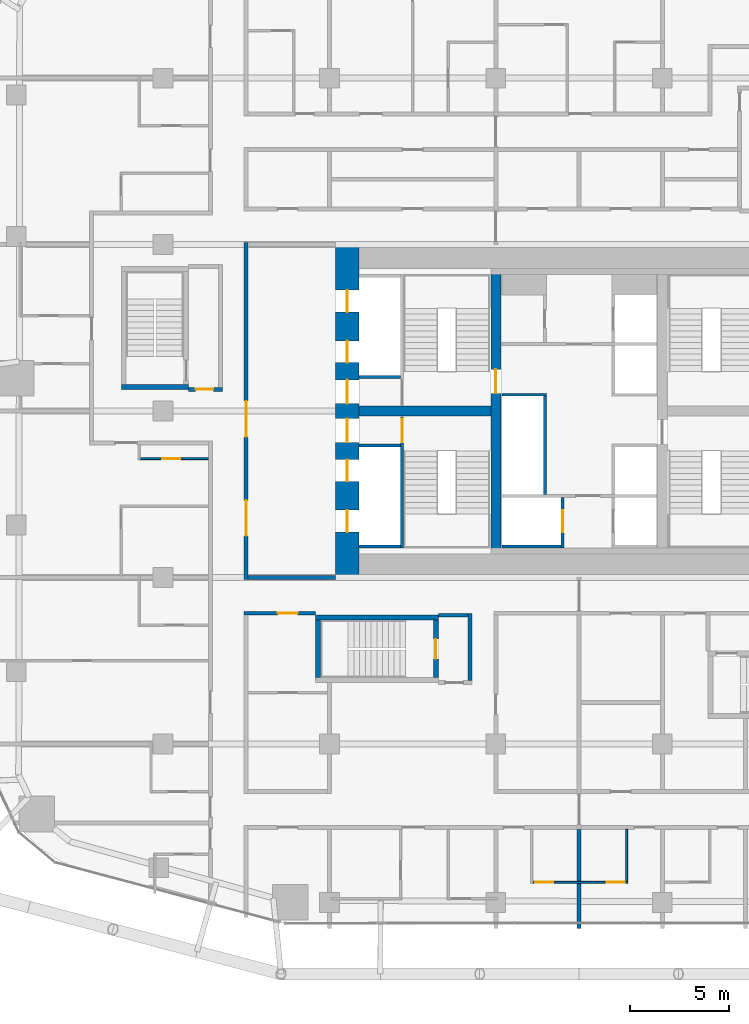
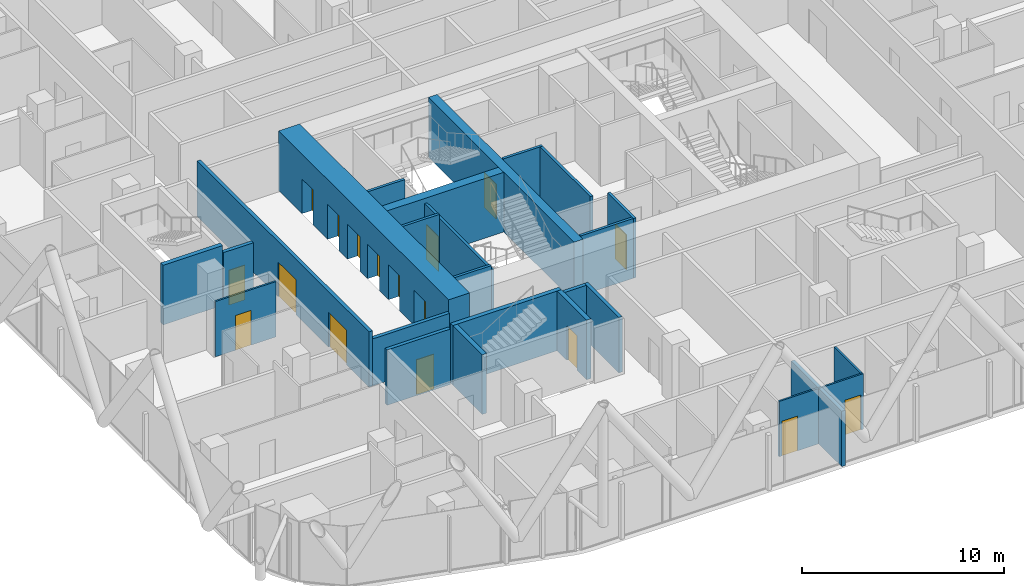
# One storey, part 29 of 38: 25 walls, 17 doors, 17 openings.
"""IFC4 building model written with IfcOpenShell, lengths in metres."""

import ifcopenshell
import ifcopenshell.guid

model = None  # the IFC model being written
_history = None  # IfcOwnerHistory: only IFC2X3 demands one
_inside = {}  # id of a spatial element -> (the spatial element, [elements in it])
_under = {}  # id of a project, library or spatial element -> (it, [spatial elements below it])
_declared = {}  # id of a project -> (the project, [libraries it declares])
_typed = {}  # id of a type object -> (the type object, [elements of that type])
_made_of = {}  # id of a material, layer set ... -> (it, [elements and type objects made of it])


def new_model(schema):
    """Start an empty IFC model of exactly this schema.

    Asked for "IFC4X3", IfcOpenShell would pick the latest addendum, in which some entities
    have other attributes; the version numbers below select the first issue.
    IFC2X3 requires an IfcOwnerHistory on every rooted entity: one is made here for all.
    """
    global model, _history
    if schema == "IFC4X3":
        model = ifcopenshell.file(schema_version=(4, 3, 0, 0))
    else:
        model = ifcopenshell.file(schema=schema)
    _inside.clear()
    _under.clear()
    _declared.clear()
    _typed.clear()
    _made_of.clear()
    _history = None
    if model.schema == "IFC2X3":
        org = make("IfcOrganization", Name="unknown")
        user = make(
            "IfcPersonAndOrganization",
            ThePerson=make("IfcPerson", FamilyName="unknown"),
            TheOrganization=org,
        )
        app = make(
            "IfcApplication",
            ApplicationDeveloper=org,
            Version="unknown",
            ApplicationFullName="unknown",
            ApplicationIdentifier="unknown",
        )
        _history = make(
            "IfcOwnerHistory",
            OwningUser=user,
            OwningApplication=app,
            ChangeAction="ADDED",
            CreationDate=0,
        )
    return model


def make(cls, **values):
    """One entity of the class cls with the attributes given. An attribute that is None is left unset."""
    return model.create_entity(
        cls, **{name: value for name, value in values.items() if value is not None}
    )


def rooted(cls, **values):
    """An entity with a GlobalId (a new one), such as an element, a storey or a relation."""
    return make(cls, GlobalId=ifcopenshell.guid.new(), OwnerHistory=_history, **values)


def si_unit(unit_type, name, prefix=None):
    """IfcSIUnit, for example si_unit("LENGTHUNIT", "METRE", prefix="MILLI")."""
    return make("IfcSIUnit", UnitType=unit_type, Prefix=prefix, Name=name)


def assignment(units):
    """IfcUnitAssignment: the units of a project."""
    return None if units is None else make("IfcUnitAssignment", Units=units)


def point(xyz):
    """IfcCartesianPoint."""
    return None if xyz is None else make("IfcCartesianPoint", Coordinates=xyz)


def direction(xyz):
    """IfcDirection."""
    return None if xyz is None else make("IfcDirection", DirectionRatios=xyz)


def frame(location, z_axis=None, x_axis=None):
    """IfcAxis2Placement3D, a coordinate frame: its origin and axes. An axis left out is left unset."""
    return make(
        "IfcAxis2Placement3D",
        Location=point(location),
        Axis=direction(z_axis),
        RefDirection=direction(x_axis),
    )


def frame_2d(location, x_axis=None):
    """IfcAxis2Placement2D, a coordinate frame in the plane: its origin and x axis."""
    return make(
        "IfcAxis2Placement2D", Location=point(location), RefDirection=direction(x_axis)
    )


def origin():
    """The frame at (0, 0, 0) with its axes left unset."""
    return frame((0.0, 0.0, 0.0))


def place(relative_to, where):
    """IfcLocalPlacement: puts the frame where relative to a parent placement (None: the world)."""
    return make(
        "IfcLocalPlacement", PlacementRelTo=relative_to, RelativePlacement=where
    )


def context(
    kind, dimensions, precision=None, world=None, true_north=None, identifier=None
):
    """IfcGeometricRepresentationContext, for example the 3D "Model" context."""
    return make(
        "IfcGeometricRepresentationContext",
        ContextIdentifier=identifier,
        ContextType=kind,
        CoordinateSpaceDimension=dimensions,
        Precision=precision,
        WorldCoordinateSystem=world,
        TrueNorth=true_north,
    )


def subcontext(parent, identifier, kind, view, scale=None):
    """IfcGeometricRepresentationSubContext, for example "Body" below "Model"."""
    return make(
        "IfcGeometricRepresentationSubContext",
        ContextIdentifier=identifier,
        ContextType=kind,
        ParentContext=parent,
        TargetScale=scale,
        TargetView=view,
    )


def project(units=None, contexts=None):
    """IfcProject with its units and contexts."""
    return rooted(
        "IfcProject",
        Name="project",
        RepresentationContexts=contexts,
        UnitsInContext=assignment(units),
    )


def spatial(cls, under=None, at=None, **own):
    """A site, building, storey or space (cls), placed at a placement, below another one or the project."""
    s = rooted(cls, ObjectPlacement=at, **own)
    if under is not None:
        _under.setdefault(under.id(), (under, []))[1].append(s)
    return s


def profile(cls, at=None, kind="AREA", **sizes):
    """A parametric profile (cls). Its sizes go by their IFC names, for example OverallWidth=200.0."""
    return make(cls, ProfileType=kind, Position=at, **sizes)


def rectangle(**sizes):
    """IfcRectangleProfileDef."""
    return profile("IfcRectangleProfileDef", **sizes)


def extrude(swept, where, along, depth):
    """IfcExtrudedAreaSolid: the profile swept, set in the frame where, extruded along a direction by depth."""
    return make(
        "IfcExtrudedAreaSolid",
        SweptArea=swept,
        Position=where,
        ExtrudedDirection=direction(along),
        Depth=depth,
    )


def shape(context_of_items, identifier, shape_type, items):
    """IfcShapeRepresentation: the items that make up one representation, for example the "Body"."""
    return make(
        "IfcShapeRepresentation",
        ContextOfItems=context_of_items,
        RepresentationIdentifier=identifier,
        RepresentationType=shape_type,
        Items=items,
    )


def material(Name=None, Category=None):
    """IfcMaterial."""
    return make("IfcMaterial", Name=Name, Category=Category)


def layer(
    of_material, thickness, ventilated=None, Name=None, Category=None, Priority=None
):
    """IfcMaterialLayer: one layer of a wall or slab, of a material (None: an air gap)."""
    return make(
        "IfcMaterialLayer",
        Material=of_material,
        LayerThickness=thickness,
        IsVentilated=ventilated,
        Name=Name,
        Category=Category,
        Priority=Priority,
    )


def layer_set(layers, Name=None):
    """IfcMaterialLayerSet."""
    return make("IfcMaterialLayerSet", MaterialLayers=layers, LayerSetName=Name)


def made_of(thing, what):
    """Note that an element or type object is made of a material, layer set ...; save() writes the relation."""
    if what is not None:
        _made_of.setdefault(what.id(), (what, []))[1].append(thing)
    return thing


def type_object(cls, material=None, **own):
    """A type object (cls), such as IfcWallType, which elements share."""
    return made_of(rooted(cls, **own), material)


def element(
    cls,
    number,
    at=None,
    inside=None,
    cuts=None,
    type_object=None,
    material=None,
    context=None,
    identifier="Body",
    shape_type=None,
    held_by="IfcProductDefinitionShape",
    body=None,
    shapes=None,
    **own,
):
    """One element of the class cls, such as IfcWall. Its Tag is "e" and its number.

    at: its placement. inside: the storey or other place that contains it. cuts: it is an
    opening in that element (IfcRelVoidsElement). A single representation is given by context,
    identifier, shape_type and body (its items); several are given by shapes. held_by: the class
    of the entity that holds the representations. save() writes the other relations.
    """
    e = rooted(cls, Tag="e%d" % number, ObjectPlacement=at, **own)
    if body is not None:
        shapes = [shape(context, identifier, shape_type, body)]
    if shapes is not None:
        e.Representation = make(held_by, Representations=shapes)
    if inside is not None:
        _inside.setdefault(inside.id(), (inside, []))[1].append(e)
    if cuts is not None:
        rooted(
            "IfcRelVoidsElement", RelatingBuildingElement=cuts, RelatedOpeningElement=e
        )
    if type_object is not None:
        _typed.setdefault(type_object.id(), (type_object, []))[1].append(e)
    return made_of(e, material)


def fill(opening, filler):
    """IfcRelFillsElement: the door or window that sits in an opening."""
    return rooted(
        "IfcRelFillsElement",
        RelatingOpeningElement=opening,
        RelatedBuildingElement=filler,
    )


def aggregate(whole, parts):
    """IfcRelAggregates: a whole, such as a stair, and the parts it consists of."""
    return rooted("IfcRelAggregates", RelatingObject=whole, RelatedObjects=parts)


def save(model, path):
    """Write the relations noted so far, then the file.

    IfcRelAggregates (storeys below a building ...), IfcRelContainedInSpatialStructure (elements
    in a storey), IfcRelDefinesByType, IfcRelAssociatesMaterial and IfcRelDeclares: one each for
    every whole, place, type object, material and project.
    """
    for whole, parts in _under.values():
        aggregate(whole, parts)
    for where, things in _inside.values():
        rooted(
            "IfcRelContainedInSpatialStructure",
            RelatedElements=things,
            RelatingStructure=where,
        )
    for kind, things in _typed.values():
        rooted("IfcRelDefinesByType", RelatedObjects=things, RelatingType=kind)
    for what, things in _made_of.values():
        rooted("IfcRelAssociatesMaterial", RelatedObjects=things, RelatingMaterial=what)
    for by, libraries in _declared.values():
        rooted("IfcRelDeclares", RelatingContext=by, RelatedDefinitions=libraries)
    model.write(path)


model = new_model("IFC4")

# Units and contexts
model_context = context("Model", 3, precision=1e-05, world=origin(), true_north=direction((0.0, 1.0)))
body_context = subcontext(model_context, "Body", "Model", "MODEL_VIEW")
ifc_project = project(units=[si_unit("LENGTHUNIT", "METRE"), si_unit("AREAUNIT", "SQUARE_METRE"), si_unit("VOLUMEUNIT", "CUBIC_METRE"), si_unit("PLANEANGLEUNIT", "RADIAN"), si_unit("MASSUNIT", "GRAM", prefix="KILO")], contexts=[model_context])

# Site, building, storey
site_placement = place(None, origin())
site = spatial("IfcSite", under=ifc_project, at=site_placement, CompositionType="ELEMENT")
building_placement = place(site_placement, origin())
building = spatial("IfcBuilding", under=site, at=building_placement, Name="Marenta Gate Hotel Tower", CompositionType="ELEMENT")
storey_placement = place(building_placement, frame((0.0, 0.0, 68.89990234375)))
storey = spatial("IfcBuildingStorey", under=building, at=storey_placement, Name="L15", CompositionType="ELEMENT", Elevation=68.89990234375)

# Wall
ifc_material_1 = material(Name="Concrete blockwork", Category="masonry")
ifc_layer_1 = layer(ifc_material_1, 0.199951171875)
ifc_layer_set_1 = layer_set([ifc_layer_1], Name="Concrete blockwork")
wall_type_1 = type_object("IfcWallType", Name="Compartment wall 200 REI 180", PredefinedType="PARTITIONING", material=ifc_layer_set_1)
wall_1_placement = place(storey_placement, frame((0.0, -17.699951171875, 0.0), z_axis=(0.0, 0.0, 1.0), x_axis=(0.0, 1.0, 0.0)))
element("IfcWall", 1, at=wall_1_placement, inside=storey, type_object=wall_type_1, Name="L15-PTN-W071", PredefinedType="PARTITIONING", context=body_context, shape_type="SweptSolid", body=[
    extrude(rectangle(XDim=5.0, YDim=0.199951171875, at=frame_2d((2.5, 0.0))), origin(), (0.0, 0.0, 1.0), 3.340087890625),
])

# Wall, openings, doors
ifc_material_2 = material(Name="Concrete blockwork", Category="masonry")
ifc_layer_2 = layer(ifc_material_2, 0.199951171875)
ifc_layer_set_2 = layer_set([ifc_layer_2], Name="Concrete blockwork")
wall_type_2 = type_object("IfcWallType", Name="Core boundary wall 200 REI 180", PredefinedType="PARTITIONING", material=ifc_layer_set_2)
wall_2_placement = place(storey_placement, frame((-16.800048828125, -0.10009765625, 0.0), z_axis=(0.0, 0.0, 1.0), x_axis=(0.0, 1.0, 0.0)))
wall_2 = element("IfcWall", 2, at=wall_2_placement, inside=storey, type_object=wall_type_2, Name="L15-CP-BW-W", PredefinedType="PARTITIONING", context=body_context, shape_type="SweptSolid", body=[
    extrude(rectangle(XDim=17.0, YDim=0.199951171875, at=frame_2d((8.5, 0.0))), origin(), (0.0, 0.0, 1.0), 3.340087890625),
])
opening_1_placement = place(wall_2_placement, frame((2.199951171875, 0.0, 0.0)))
opening_1 = element("IfcOpeningElement", 3, at=opening_1_placement, cuts=wall_2, Name="Opening ED-Wa-B", PredefinedType="OPENING", context=body_context, shape_type="SweptSolid", body=[
    extrude(rectangle(XDim=1.800048828125, YDim=2.10009765625, at=frame_2d((0.89990234375, 1.050048828125))), frame((0.0, 0.10009765625, 0.0), z_axis=(0.0, -1.0, 0.0), x_axis=(1.0, 0.0, 0.0)), (0.0, 0.0, 1.0), 0.199951171875),
])
opening_2_placement = place(wall_2_placement, frame((7.199951171875, 0.0, 0.0)))
opening_2 = element("IfcOpeningElement", 4, at=opening_2_placement, cuts=wall_2, Name="Opening ED-Wb-B", PredefinedType="OPENING", context=body_context, shape_type="SweptSolid", body=[
    extrude(rectangle(XDim=1.800048828125, YDim=2.10009765625, at=frame_2d((0.89990234375, 1.050048828125))), frame((0.0, 0.10009765625, 0.0), z_axis=(0.0, -1.0, 0.0), x_axis=(1.0, 0.0, 0.0)), (0.0, 0.0, 1.0), 0.199951171875),
])
ifc_material_3 = material(Name="Steel", Category="steel")
door_type_1 = type_object("IfcDoorType", Name="Core lobby entrance door 1800x2100 EI 60", OperationType="DOUBLE_DOOR_SINGLE_SWING", PredefinedType="DOOR", material=ifc_material_3)
door_1_placement = place(opening_1_placement, origin())
door_1 = element("IfcDoor", 5, at=door_1_placement, inside=storey, type_object=door_type_1, Name="ED-Wa-B", OperationType="DOUBLE_DOOR_SINGLE_SWING", OverallHeight=2.10009765625, OverallWidth=1.800048828125, PredefinedType="DOOR", context=body_context, shape_type="SweptSolid", body=[
    extrude(rectangle(XDim=1.800048828125, YDim=2.10009765625, at=frame_2d((0.89990234375, 1.050048828125))), frame((0.0, 0.02490234375, 0.0), z_axis=(0.0, -1.0, 0.0), x_axis=(1.0, 0.0, 0.0)), (0.0, 0.0, 1.0), 0.050048828125),
])
fill(opening_1, door_1)
door_2_placement = place(opening_2_placement, origin())
door_2 = element("IfcDoor", 6, at=door_2_placement, inside=storey, type_object=door_type_1, Name="ED-Wb-B", OperationType="DOUBLE_DOOR_SINGLE_SWING", OverallHeight=2.10009765625, OverallWidth=1.800048828125, PredefinedType="DOOR", context=body_context, shape_type="SweptSolid", body=[
    extrude(rectangle(XDim=1.800048828125, YDim=2.10009765625, at=frame_2d((0.89990234375, 1.050048828125))), frame((0.0, 0.02490234375, 0.0), z_axis=(0.0, -1.0, 0.0), x_axis=(1.0, 0.0, 0.0)), (0.0, 0.0, 1.0), 0.050048828125),
])
fill(opening_2, door_2)

# Walls
wall_3_placement = place(storey_placement, frame((-16.699951171875, 0.0, 0.0), z_axis=(0.0, 0.0, 1.0), x_axis=(1.0, 0.0, 0.0)))
element("IfcWall", 7, at=wall_3_placement, inside=storey, type_object=wall_type_2, Name="L15-CP-EW-WS", PredefinedType="PARTITIONING", context=body_context, shape_type="SweptSolid", body=[
    extrude(rectangle(XDim=4.39990234375, YDim=0.199951171875, at=frame_2d((2.199951171875, 0.0))), origin(), (0.0, 0.0, 1.0), 2.840087890625),
])
ifc_material_4 = material(Name="Concrete C40", Category="concrete")
ifc_layer_3 = layer(ifc_material_4, 0.14990234375)
ifc_layer_set_3 = layer_set([ifc_layer_3], Name="Concrete C40")
wall_type_3 = type_object("IfcWallType", Name="Core shaft wall 150 REI 180", PredefinedType="SHEAR", material=ifc_layer_set_3)
for number, where, z_axis, x_axis, name in (
    (8, (-11.10009765625, 6.675048828125, 0.0), (0.0, 0.0, 1.0), (1.0, 0.0, 0.0), "L15-SHF-SW-WS-2"),
    (9, (-11.10009765625, 1.574951171875, 0.0), (0.0, 0.0, 1.0), (1.0, 0.0, 0.0), "L15-SHF-SW-WS-5"),
    (10, (-11.10009765625, 10.125, 0.0), (0.0, 0.0, 1.0), (1.0, 0.0, 0.0), "L15-SHF-SW-WN-2"),
):
    element("IfcWall", number, at=place(storey_placement, frame(where, z_axis=z_axis, x_axis=x_axis)), inside=storey, type_object=wall_type_3, Name=name, PredefinedType="SHEAR", context=body_context, shape_type="SweptSolid", body=[
        extrude(rectangle(XDim=2.10009765625, YDim=0.14990234375, at=frame_2d((1.050048828125, 0.0))), origin(), (0.0, 0.0, 1.0), 3.60009765625),
    ])

# Wall, opening, door
wall_4_placement = place(storey_placement, frame((-0.824951171875, 1.5, 0.0), z_axis=(0.0, 0.0, 1.0), x_axis=(0.0, 1.0, 0.0)))
wall_4 = element("IfcWall", 11, at=wall_4_placement, inside=storey, type_object=wall_type_3, Name="L15-SHF-CW-W-ff", PredefinedType="SHEAR", context=body_context, shape_type="SweptSolid", body=[
    extrude(rectangle(XDim=2.550048828125, YDim=0.14990234375, at=frame_2d((1.27490234375, 0.0))), origin(), (0.0, 0.0, 1.0), 3.60009765625),
])
opening_3_placement = place(wall_4_placement, frame((0.800048828125, 0.0, 0.0)))
opening_3 = element("IfcOpeningElement", 12, at=opening_3_placement, cuts=wall_4, Name="Opening LD-FF1", PredefinedType="OPENING", context=body_context, shape_type="SweptSolid", body=[
    extrude(rectangle(XDim=1.10009765625, YDim=2.10009765625, at=frame_2d((0.550048828125, 1.050048828125))), frame((0.0, 0.074951171875, 0.0), z_axis=(0.0, -1.0, 0.0), x_axis=(1.0, 0.0, 0.0)), (0.0, 0.0, 1.0), 0.14990234375),
])
ifc_material_5 = material(Name="Steel", Category="steel")
door_type_2 = type_object("IfcDoorType", Name="Core lift landing door 1100x2100 E 60", OperationType="SLIDING_TO_LEFT", PredefinedType="DOOR", material=ifc_material_5)
door_3_placement = place(opening_3_placement, origin())
door_3 = element("IfcDoor", 13, at=door_3_placement, inside=storey, type_object=door_type_2, Name="LD-FF1", OperationType="SLIDING_TO_LEFT", OverallHeight=2.10009765625, OverallWidth=1.10009765625, PredefinedType="DOOR", context=body_context, shape_type="SweptSolid", body=[
    extrude(rectangle(XDim=1.10009765625, YDim=2.10009765625, at=frame_2d((0.550048828125, 1.050048828125))), frame((0.0, 0.02490234375, 0.0), z_axis=(0.0, -1.0, 0.0), x_axis=(1.0, 0.0, 0.0)), (0.0, 0.0, 1.0), 0.050048828125),
])
fill(opening_3, door_3)

# Walls
wall_5_placement = place(storey_placement, frame((-3.89990234375, 1.574951171875, 0.0), z_axis=(0.0, 0.0, 1.0), x_axis=(1.0, 0.0, 0.0)))
element("IfcWall", 14, at=wall_5_placement, inside=storey, type_object=wall_type_3, Name="L15-SHF-CW-W-ffs", PredefinedType="SHEAR", context=body_context, shape_type="SweptSolid", body=[
    extrude(rectangle(XDim=3.0, YDim=0.14990234375, at=frame_2d((1.5, 0.0))), origin(), (0.0, 0.0, 1.0), 3.60009765625),
])
wall_6_placement = place(storey_placement, frame((-1.72509765625, 4.199951171875, 0.0), z_axis=(0.0, 0.0, 1.0), x_axis=(0.0, 1.0, 0.0)))
element("IfcWall", 15, at=wall_6_placement, inside=storey, type_object=wall_type_3, Name="L15-SHF-CW-W-front", PredefinedType="SHEAR", context=body_context, shape_type="SweptSolid", body=[
    extrude(rectangle(XDim=4.949951171875, YDim=0.14990234375, at=frame_2d((2.47509765625, 0.0))), origin(), (0.0, 0.0, 1.0), 3.60009765625),
])
wall_7_placement = place(storey_placement, frame((-3.89990234375, 9.22509765625, 0.0), z_axis=(0.0, 0.0, 1.0), x_axis=(1.0, 0.0, 0.0)))
element("IfcWall", 16, at=wall_7_placement, inside=storey, type_object=wall_type_3, Name="L15-SHF-CW-W-sep", PredefinedType="SHEAR", context=body_context, shape_type="SweptSolid", body=[
    extrude(rectangle(XDim=2.25, YDim=0.14990234375, at=frame_2d((1.125, 0.0))), origin(), (0.0, 0.0, 1.0), 3.60009765625),
])

# Wall, opening, door
ifc_material_6 = material(Name="Concrete C40", Category="concrete")
ifc_layer_4 = layer(ifc_material_6, 0.14990234375)
ifc_layer_set_4 = layer_set([ifc_layer_4], Name="Concrete C40")
wall_type_4 = type_object("IfcWallType", Name="Core stair enclosure wall 150 REI 180", PredefinedType="SHEAR", material=ifc_layer_set_4)
wall_8_placement = place(storey_placement, frame((-8.925048828125, 1.5, 0.0), z_axis=(0.0, 0.0, 1.0), x_axis=(0.0, 1.0, 0.0)))
wall_8 = element("IfcWall", 17, at=wall_8_placement, inside=storey, type_object=wall_type_4, Name="L15-SHF-SW-WS-3", PredefinedType="SHEAR", context=body_context, shape_type="SweptSolid", body=[
    extrude(rectangle(XDim=6.60009765625, YDim=0.14990234375, at=frame_2d((3.300048828125, 0.0))), origin(), (0.0, 0.0, 1.0), 3.340087890625),
])
opening_4_placement = place(wall_8_placement, frame((5.324951171875, 0.0, 0.0)))
opening_4 = element("IfcOpeningElement", 18, at=opening_4_placement, cuts=wall_8, Name="Opening SD-WS", PredefinedType="OPENING", context=body_context, shape_type="SweptSolid", body=[
    extrude(rectangle(XDim=1.199951171875, YDim=2.10009765625, at=frame_2d((0.60009765625, 1.050048828125))), frame((0.0, 0.074951171875, 0.0), z_axis=(0.0, -1.0, 0.0), x_axis=(1.0, 0.0, 0.0)), (0.0, 0.0, 1.0), 0.14990234375),
])
ifc_material_7 = material(Name="Steel", Category="steel")
door_type_3 = type_object("IfcDoorType", Name="Core stair door 1200x2100 FD60", OperationType="SINGLE_SWING_LEFT", PredefinedType="DOOR", material=ifc_material_7)
door_4_placement = place(opening_4_placement, origin())
door_4 = element("IfcDoor", 19, at=door_4_placement, inside=storey, type_object=door_type_3, Name="SD-WS", OperationType="SINGLE_SWING_LEFT", OverallHeight=2.10009765625, OverallWidth=1.199951171875, PredefinedType="DOOR", context=body_context, shape_type="SweptSolid", body=[
    extrude(rectangle(XDim=1.199951171875, YDim=2.10009765625, at=frame_2d((0.60009765625, 1.050048828125))), frame((0.0, 0.02490234375, 0.0), z_axis=(0.0, -1.0, 0.0), x_axis=(1.0, 0.0, 0.0)), (0.0, 0.0, 1.0), 0.050048828125),
])
fill(opening_4, door_4)

# Wall, openings, doors
ifc_material_8 = material(Name="Concrete C80", Category="concrete")
ifc_layer_5 = layer(ifc_material_8, 1.199951171875)
ifc_layer_set_5 = layer_set([ifc_layer_5], Name="Concrete C80")
wall_type_5 = type_object("IfcWallType", Name="Core wall 1200 C80", PredefinedType="SHEAR", material=ifc_layer_set_5)
wall_9_placement = place(storey_placement, frame((-11.699951171875, 0.0, 0.0), z_axis=(0.0, 0.0, 1.0), x_axis=(0.0, 1.0, 0.0)))
wall_9 = element("IfcWall", 20, at=wall_9_placement, inside=storey, type_object=wall_type_5, Name="L15-CORE-W", PredefinedType="SHEAR", context=body_context, shape_type="SweptSolid", body=[
    extrude(rectangle(XDim=16.800048828125, YDim=1.199951171875, at=frame_2d((8.39990234375, 0.0))), origin(), (0.0, 0.0, 1.0), 3.60009765625),
])
opening_5_placement = place(wall_9_placement, frame((2.300048828125, 0.0, 0.0)))
opening_5 = element("IfcOpeningElement", 21, at=opening_5_placement, cuts=wall_9, Name="Opening LD-LR1", PredefinedType="OPENING", context=body_context, shape_type="SweptSolid", body=[
    extrude(rectangle(XDim=1.10009765625, YDim=2.10009765625, at=frame_2d((0.550048828125, 1.050048828125))), frame((0.0, 0.60009765625, 0.0), z_axis=(0.0, -1.0, 0.0), x_axis=(1.0, 0.0, 0.0)), (0.0, 0.0, 1.0), 1.199951171875),
])
opening_6_placement = place(wall_9_placement, frame((4.85009765625, 0.0, 0.0)))
opening_6 = element("IfcOpeningElement", 22, at=opening_6_placement, cuts=wall_9, Name="Opening LD-LR2", PredefinedType="OPENING", context=body_context, shape_type="SweptSolid", body=[
    extrude(rectangle(XDim=1.10009765625, YDim=2.10009765625, at=frame_2d((0.550048828125, 1.050048828125))), frame((0.0, 0.60009765625, 0.0), z_axis=(0.0, -1.0, 0.0), x_axis=(1.0, 0.0, 0.0)), (0.0, 0.0, 1.0), 1.199951171875),
])
opening_7_placement = place(wall_9_placement, frame((6.824951171875, 0.0, 0.0)))
opening_7 = element("IfcOpeningElement", 23, at=opening_7_placement, cuts=wall_9, Name="Opening PD-WS", PredefinedType="OPENING", context=body_context, shape_type="SweptSolid", body=[
    extrude(rectangle(XDim=1.199951171875, YDim=2.10009765625, at=frame_2d((0.60009765625, 1.050048828125))), frame((0.0, 0.60009765625, 0.0), z_axis=(0.0, -1.0, 0.0), x_axis=(1.0, 0.0, 0.0)), (0.0, 0.0, 1.0), 1.199951171875),
])
opening_8_placement = place(wall_9_placement, frame((13.39990234375, 0.0, 0.0)))
opening_8 = element("IfcOpeningElement", 24, at=opening_8_placement, cuts=wall_9, Name="Opening LD-LR4", PredefinedType="OPENING", context=body_context, shape_type="SweptSolid", body=[
    extrude(rectangle(XDim=1.10009765625, YDim=2.10009765625, at=frame_2d((0.550048828125, 1.050048828125))), frame((0.0, 0.60009765625, 0.0), z_axis=(0.0, -1.0, 0.0), x_axis=(1.0, 0.0, 0.0)), (0.0, 0.0, 1.0), 1.199951171875),
])
opening_9_placement = place(wall_9_placement, frame((10.85009765625, 0.0, 0.0)))
opening_9 = element("IfcOpeningElement", 25, at=opening_9_placement, cuts=wall_9, Name="Opening LD-LR3", PredefinedType="OPENING", context=body_context, shape_type="SweptSolid", body=[
    extrude(rectangle(XDim=1.10009765625, YDim=2.10009765625, at=frame_2d((0.550048828125, 1.050048828125))), frame((0.0, 0.60009765625, 0.0), z_axis=(0.0, -1.0, 0.0), x_axis=(1.0, 0.0, 0.0)), (0.0, 0.0, 1.0), 1.199951171875),
])
opening_10_placement = place(wall_9_placement, frame((8.77490234375, 0.0, 0.0)))
opening_10 = element("IfcOpeningElement", 26, at=opening_10_placement, cuts=wall_9, Name="Opening PD-WN", PredefinedType="OPENING", context=body_context, shape_type="SweptSolid", body=[
    extrude(rectangle(XDim=1.199951171875, YDim=2.10009765625, at=frame_2d((0.60009765625, 1.050048828125))), frame((0.0, 0.60009765625, 0.0), z_axis=(0.0, -1.0, 0.0), x_axis=(1.0, 0.0, 0.0)), (0.0, 0.0, 1.0), 1.199951171875),
])
door_5_placement = place(opening_5_placement, origin())
door_5 = element("IfcDoor", 27, at=door_5_placement, inside=storey, type_object=door_type_2, Name="LD-LR1", OperationType="SLIDING_TO_LEFT", OverallHeight=2.10009765625, OverallWidth=1.10009765625, PredefinedType="DOOR", context=body_context, shape_type="SweptSolid", body=[
    extrude(rectangle(XDim=1.10009765625, YDim=2.10009765625, at=frame_2d((0.550048828125, 1.050048828125))), frame((0.0, 0.02490234375, 0.0), z_axis=(0.0, -1.0, 0.0), x_axis=(1.0, 0.0, 0.0)), (0.0, 0.0, 1.0), 0.050048828125),
])
fill(opening_5, door_5)
door_6_placement = place(opening_6_placement, origin())
door_6 = element("IfcDoor", 28, at=door_6_placement, inside=storey, type_object=door_type_2, Name="LD-LR2", OperationType="SLIDING_TO_LEFT", OverallHeight=2.10009765625, OverallWidth=1.10009765625, PredefinedType="DOOR", context=body_context, shape_type="SweptSolid", body=[
    extrude(rectangle(XDim=1.10009765625, YDim=2.10009765625, at=frame_2d((0.550048828125, 1.050048828125))), frame((0.0, 0.02490234375, 0.0), z_axis=(0.0, -1.0, 0.0), x_axis=(1.0, 0.0, 0.0)), (0.0, 0.0, 1.0), 0.050048828125),
])
fill(opening_6, door_6)
door_7_placement = place(opening_8_placement, origin())
door_7 = element("IfcDoor", 29, at=door_7_placement, inside=storey, type_object=door_type_2, Name="LD-LR4", OperationType="SLIDING_TO_LEFT", OverallHeight=2.10009765625, OverallWidth=1.10009765625, PredefinedType="DOOR", context=body_context, shape_type="SweptSolid", body=[
    extrude(rectangle(XDim=1.10009765625, YDim=2.10009765625, at=frame_2d((0.550048828125, 1.050048828125))), frame((0.0, 0.02490234375, 0.0), z_axis=(0.0, -1.0, 0.0), x_axis=(1.0, 0.0, 0.0)), (0.0, 0.0, 1.0), 0.050048828125),
])
fill(opening_8, door_7)
door_8_placement = place(opening_9_placement, origin())
door_8 = element("IfcDoor", 30, at=door_8_placement, inside=storey, type_object=door_type_2, Name="LD-LR3", OperationType="SLIDING_TO_LEFT", OverallHeight=2.10009765625, OverallWidth=1.10009765625, PredefinedType="DOOR", context=body_context, shape_type="SweptSolid", body=[
    extrude(rectangle(XDim=1.10009765625, YDim=2.10009765625, at=frame_2d((0.550048828125, 1.050048828125))), frame((0.0, 0.02490234375, 0.0), z_axis=(0.0, -1.0, 0.0), x_axis=(1.0, 0.0, 0.0)), (0.0, 0.0, 1.0), 0.050048828125),
])
fill(opening_9, door_8)
ifc_material_9 = material(Name="Steel", Category="steel")
door_type_4 = type_object("IfcDoorType", Name="Core lobby door 1200x2100 FD60", OperationType="SINGLE_SWING_LEFT", PredefinedType="DOOR", material=ifc_material_9)
door_9_placement = place(opening_7_placement, origin())
door_9 = element("IfcDoor", 31, at=door_9_placement, inside=storey, type_object=door_type_4, Name="PD-WS", OperationType="SINGLE_SWING_LEFT", OverallHeight=2.10009765625, OverallWidth=1.199951171875, PredefinedType="DOOR", context=body_context, shape_type="SweptSolid", body=[
    extrude(rectangle(XDim=1.199951171875, YDim=2.10009765625, at=frame_2d((0.60009765625, 1.050048828125))), frame((0.0, 0.02490234375, 0.0), z_axis=(0.0, -1.0, 0.0), x_axis=(1.0, 0.0, 0.0)), (0.0, 0.0, 1.0), 0.050048828125),
])
fill(opening_7, door_9)
door_10_placement = place(opening_10_placement, origin())
door_10 = element("IfcDoor", 32, at=door_10_placement, inside=storey, type_object=door_type_4, Name="PD-WN", OperationType="SINGLE_SWING_LEFT", OverallHeight=2.10009765625, OverallWidth=1.199951171875, PredefinedType="DOOR", context=body_context, shape_type="SweptSolid", body=[
    extrude(rectangle(XDim=1.199951171875, YDim=2.10009765625, at=frame_2d((0.60009765625, 1.050048828125))), frame((0.0, 0.02490234375, 0.0), z_axis=(0.0, -1.0, 0.0), x_axis=(1.0, 0.0, 0.0)), (0.0, 0.0, 1.0), 0.050048828125),
])
fill(opening_10, door_10)

# Wall, opening, door
ifc_material_10 = material(Name="Concrete C80", Category="concrete")
ifc_layer_6 = layer(ifc_material_10, 0.5)
ifc_layer_set_6 = layer_set([ifc_layer_6], Name="Concrete C80")
wall_type_6 = type_object("IfcWallType", Name="Core web 500 C80", PredefinedType="SHEAR", material=ifc_layer_set_6)
wall_10_placement = place(storey_placement, frame((-4.199951171875, 1.199951171875, 0.0), z_axis=(0.0, 0.0, 1.0), x_axis=(0.0, 1.0, 0.0)))
wall_10 = element("IfcWall", 33, at=wall_10_placement, inside=storey, type_object=wall_type_6, Name="L15-CORE-W1", PredefinedType="SHEAR", context=body_context, shape_type="SweptSolid", body=[
    extrude(rectangle(XDim=14.400146484375, YDim=0.5, at=frame_2d((7.2001953125, 0.0))), origin(), (0.0, 0.0, 1.0), 3.60009765625),
])
opening_11_placement = place(wall_10_placement, frame((8.10009765625, 0.0, 0.0)))
opening_11 = element("IfcOpeningElement", 34, at=opening_11_placement, cuts=wall_10, Name="Opening WD-W", PredefinedType="OPENING", context=body_context, shape_type="SweptSolid", body=[
    extrude(rectangle(XDim=1.199951171875, YDim=2.10009765625, at=frame_2d((0.60009765625, 1.050048828125))), frame((0.0, 0.25, 0.0), z_axis=(0.0, -1.0, 0.0), x_axis=(1.0, 0.0, 0.0)), (0.0, 0.0, 1.0), 0.5),
])
door_11_placement = place(opening_11_placement, origin())
door_11 = element("IfcDoor", 35, at=door_11_placement, inside=storey, type_object=door_type_3, Name="WD-W", OperationType="SINGLE_SWING_LEFT", OverallHeight=2.10009765625, OverallWidth=1.199951171875, PredefinedType="DOOR", context=body_context, shape_type="SweptSolid", body=[
    extrude(rectangle(XDim=1.199951171875, YDim=2.10009765625, at=frame_2d((0.60009765625, 1.050048828125))), frame((0.0, 0.02490234375, 0.0), z_axis=(0.0, -1.0, 0.0), x_axis=(1.0, 0.0, 0.0)), (0.0, 0.0, 1.0), 0.050048828125),
])
fill(opening_11, door_11)

# Walls
wall_11_placement = place(storey_placement, frame((-11.10009765625, 8.39990234375, 0.0), z_axis=(0.0, 0.0, 1.0), x_axis=(1.0, 0.0, 0.0)))
element("IfcWall", 36, at=wall_11_placement, inside=storey, type_object=wall_type_6, Name="L15-CORE-W3", PredefinedType="SHEAR", context=body_context, shape_type="SweptSolid", body=[
    extrude(rectangle(XDim=6.650146484375, YDim=0.5, at=frame_2d((3.3251953125, 0.0))), origin(), (0.0, 0.0, 1.0), 3.60009765625),
])
ifc_material_11 = material(Name="Concrete C40", Category="concrete")
ifc_layer_7 = layer(ifc_material_11, 0.25)
ifc_layer_set_7 = layer_set([ifc_layer_7], Name="Concrete C40")
wall_type_7 = type_object("IfcWallType", Name="Remote stair enclosure wall 250 REI 180", PredefinedType="SHEAR", material=ifc_layer_set_7)
wall_12_placement = place(storey_placement, frame((-13.300048828125, -2.02490234375, 0.10009765625), z_axis=(0.0, 0.0, 1.0), x_axis=(1.0, 0.0, 0.0)))
element("IfcWall", 37, at=wall_12_placement, inside=storey, type_object=wall_type_7, Name="L15-RS-Z1-2-W2", PredefinedType="SHEAR", context=body_context, shape_type="SweptSolid", body=[
    extrude(rectangle(XDim=6.199951171875, YDim=0.25, at=frame_2d((3.10009765625, 0.0))), origin(), (0.0, 0.0, 1.0), 3.60009765625),
])
wall_13_placement = place(storey_placement, frame((-13.175048828125, -5.050048828125, 0.10009765625), z_axis=(0.0, 0.0, 1.0), x_axis=(0.0, 1.0, 0.0)))
element("IfcWall", 38, at=wall_13_placement, inside=storey, type_object=wall_type_7, Name="L15-RS-Z1-2-W3", PredefinedType="SHEAR", context=body_context, shape_type="SweptSolid", body=[
    extrude(rectangle(XDim=2.900146484375, YDim=0.25, at=frame_2d((1.4501953125, 0.0))), origin(), (0.0, 0.0, 1.0), 3.60009765625),
])

# Wall, opening, door
wall_14_placement = place(storey_placement, frame((-7.22509765625, -5.050048828125, 0.10009765625), z_axis=(0.0, 0.0, 1.0), x_axis=(0.0, 1.0, 0.0)))
wall_14 = element("IfcWall", 39, at=wall_14_placement, inside=storey, type_object=wall_type_7, Name="L15-RS-Z1-2-W4", PredefinedType="SHEAR", context=body_context, shape_type="SweptSolid", body=[
    extrude(rectangle(XDim=2.900146484375, YDim=0.25, at=frame_2d((1.4501953125, 0.0))), origin(), (0.0, 0.0, 1.0), 3.60009765625),
])
opening_12_placement = place(wall_14_placement, frame((0.949951171875, 0.0, 0.0)))
opening_12 = element("IfcOpeningElement", 40, at=opening_12_placement, cuts=wall_14, Name="Opening VD", PredefinedType="OPENING", context=body_context, shape_type="SweptSolid", body=[
    extrude(rectangle(XDim=1.0, YDim=2.10009765625, at=frame_2d((0.5, 1.050048828125))), frame((0.0, 0.125, 0.0), z_axis=(0.0, -1.0, 0.0), x_axis=(1.0, 0.0, 0.0)), (0.0, 0.0, 1.0), 0.25),
])
ifc_material_12 = material(Name="Steel", Category="steel")
door_type_5 = type_object("IfcDoorType", Name="Stair vestibule door 1000x2100 FD60", OperationType="SINGLE_SWING_LEFT", PredefinedType="DOOR", material=ifc_material_12)
door_12_placement = place(opening_12_placement, origin())
door_12 = element("IfcDoor", 41, at=door_12_placement, inside=storey, type_object=door_type_5, Name="VD", OperationType="SINGLE_SWING_LEFT", OverallHeight=2.10009765625, OverallWidth=1.0, PredefinedType="DOOR", context=body_context, shape_type="SweptSolid", body=[
    extrude(rectangle(XDim=1.0, YDim=2.10009765625, at=frame_2d((0.5, 1.050048828125))), frame((0.0, 0.02490234375, 0.0), z_axis=(0.0, -1.0, 0.0), x_axis=(1.0, 0.0, 0.0)), (0.0, 0.0, 1.0), 0.050048828125),
])
fill(opening_12, door_12)

# Wall
wall_15_placement = place(storey_placement, frame((-23.10009765625, 9.625, 0.10009765625), z_axis=(0.0, 0.0, 1.0), x_axis=(1.0, 0.0, 0.0)))
element("IfcWall", 42, at=wall_15_placement, inside=storey, type_object=wall_type_7, Name="L15-RS-Z1-3-W1", PredefinedType="SHEAR", context=body_context, shape_type="SweptSolid", body=[
    extrude(rectangle(XDim=3.400146484375, YDim=0.25, at=frame_2d((1.7001953125, 0.0))), origin(), (0.0, 0.0, 1.0), 3.60009765625),
])

# Wall, opening, door
ifc_material_13 = material(Name="Gypsum board on steel stud", Category="steel")
ifc_layer_8 = layer(ifc_material_13, 0.199951171875)
ifc_layer_set_8 = layer_set([ifc_layer_8], Name="Gypsum board on steel stud")
wall_type_8 = type_object("IfcWallType", Name="Room corridor wall 200 EI 60", PredefinedType="PARTITIONING", material=ifc_layer_set_8)
wall_16_placement = place(storey_placement, frame((-16.89990234375, -1.800048828125, 0.0), z_axis=(0.0, 0.0, 1.0), x_axis=(1.0, 0.0, 0.0)))
wall_16 = element("IfcWall", 43, at=wall_16_placement, inside=storey, type_object=wall_type_8, Name="L15-PTN-W068", PredefinedType="PARTITIONING", context=body_context, shape_type="SweptSolid", body=[
    extrude(rectangle(XDim=3.599853515625, YDim=0.199951171875, at=frame_2d((1.7998046875, 0.0))), origin(), (0.0, 0.0, 1.0), 3.340087890625),
])
opening_13_placement = place(wall_16_placement, frame((1.699951171875, 0.0, 0.0)))
opening_13 = element("IfcOpeningElement", 44, at=opening_13_placement, cuts=wall_16, Name="Opening G05-02", PredefinedType="OPENING", context=body_context, shape_type="SweptSolid", body=[
    extrude(rectangle(XDim=1.0, YDim=2.10009765625, at=frame_2d((0.5, 1.050048828125))), frame((0.0, 0.10009765625, 0.0), z_axis=(0.0, -1.0, 0.0), x_axis=(1.0, 0.0, 0.0)), (0.0, 0.0, 1.0), 0.199951171875),
])
ifc_material_14 = material(Name="Hollow steel door set", Category="steel")
door_type_6 = type_object("IfcDoorType", Name="Room service door 1000x2100 EI 30", OperationType="NOTDEFINED", PredefinedType="DOOR", material=ifc_material_14)
door_13_placement = place(opening_13_placement, origin())
door_13 = element("IfcDoor", 45, at=door_13_placement, inside=storey, type_object=door_type_6, Name="L15-PD-D002", OperationType="SINGLE_SWING_RIGHT", OverallHeight=2.10009765625, OverallWidth=1.0, PredefinedType="DOOR", context=body_context, shape_type="SweptSolid", body=[
    extrude(rectangle(XDim=1.0, YDim=2.10009765625, at=frame_2d((0.5, 1.050048828125))), frame((0.0, 0.02490234375, 0.0), z_axis=(0.0, -1.0, 0.0), x_axis=(1.0, 0.0, 0.0)), (0.0, 0.0, 1.0), 0.050048828125),
])
fill(opening_13, door_13)

# Walls
ifc_material_15 = material(Name="Concrete blockwork", Category="masonry")
ifc_layer_9 = layer(ifc_material_15, 0.199951171875)
ifc_layer_set_9 = layer_set([ifc_layer_9], Name="Concrete blockwork")
wall_type_9 = type_object("IfcWallType", Name="Room corridor wall 200 REI 180", PredefinedType="PARTITIONING", material=ifc_layer_set_9)
wall_17_placement = place(storey_placement, frame((-7.10009765625, -1.89990234375, 0.0), z_axis=(0.0, 0.0, 1.0), x_axis=(1.0, 0.0, 0.0)))
element("IfcWall", 46, at=wall_17_placement, inside=storey, type_object=wall_type_9, Name="L15-PTN-W066", PredefinedType="PARTITIONING", context=body_context, shape_type="SweptSolid", body=[
    extrude(rectangle(XDim=1.5, YDim=0.199951171875, at=frame_2d((0.75, 0.0))), origin(), (0.0, 0.0, 1.0), 3.340087890625),
])
wall_18_placement = place(storey_placement, frame((-5.5, -5.199951171875, 0.0), z_axis=(0.0, 0.0, 1.0), x_axis=(0.0, 1.0, 0.0)))
element("IfcWall", 47, at=wall_18_placement, inside=storey, type_object=wall_type_9, Name="L15-PTN-W084", PredefinedType="PARTITIONING", context=body_context, shape_type="SweptSolid", body=[
    extrude(rectangle(XDim=3.39990234375, YDim=0.199951171875, at=frame_2d((1.699951171875, 0.0))), origin(), (0.0, 0.0, 1.0), 3.340087890625),
])

# Wall, opening, door
wall_19_placement = place(storey_placement, frame((-19.699951171875, 9.5, 0.0), z_axis=(0.0, 0.0, 1.0), x_axis=(1.0, 0.0, 0.0)))
wall_19 = element("IfcWall", 48, at=wall_19_placement, inside=storey, type_object=wall_type_9, Name="L15-PTN-W094", PredefinedType="PARTITIONING", context=body_context, shape_type="SweptSolid", body=[
    extrude(rectangle(XDim=1.699951171875, YDim=0.199951171875, at=frame_2d((0.85009765625, 0.0))), origin(), (0.0, 0.0, 1.0), 3.340087890625),
])
opening_14_placement = place(wall_19_placement, frame((0.35009765625, 0.0, 0.0)))
opening_14 = element("IfcOpeningElement", 49, at=opening_14_placement, cuts=wall_19, Name="Opening G05-68", PredefinedType="OPENING", context=body_context, shape_type="SweptSolid", body=[
    extrude(rectangle(XDim=0.89990234375, YDim=2.10009765625, at=frame_2d((0.449951171875, 1.050048828125))), frame((0.0, 0.10009765625, 0.0), z_axis=(0.0, -1.0, 0.0), x_axis=(1.0, 0.0, 0.0)), (0.0, 0.0, 1.0), 0.199951171875),
])
ifc_material_16 = material(Name="Hollow steel door set", Category="steel")
door_type_7 = type_object("IfcDoorType", Name="Stair vestibule door 900x2100 EI 60", OperationType="NOTDEFINED", PredefinedType="DOOR", material=ifc_material_16)
door_14_placement = place(opening_14_placement, origin())
door_14 = element("IfcDoor", 50, at=door_14_placement, inside=storey, type_object=door_type_7, Name="L15-PD-D068", OperationType="SINGLE_SWING_RIGHT", OverallHeight=2.10009765625, OverallWidth=0.89990234375, PredefinedType="DOOR", context=body_context, shape_type="SweptSolid", body=[
    extrude(rectangle(XDim=0.89990234375, YDim=2.10009765625, at=frame_2d((0.449951171875, 1.050048828125))), frame((0.0, 0.02490234375, 0.0), z_axis=(0.0, -1.0, 0.0), x_axis=(1.0, 0.0, 0.0)), (0.0, 0.0, 1.0), 0.050048828125),
])
fill(opening_14, door_14)

# Wall, openings, doors
ifc_material_17 = material(Name="Gypsum board on steel stud", Category="steel")
ifc_layer_10 = layer(ifc_material_17, 0.10009765625)
ifc_layer_set_10 = layer_set([ifc_layer_10], Name="Gypsum board on steel stud")
wall_type_10 = type_object("IfcWallType", Name="Room partition 100", PredefinedType="PARTITIONING", material=ifc_layer_set_10)
wall_20_placement = place(storey_placement, frame((-2.35009765625, -15.375, 0.0), z_axis=(0.0, 0.0, 1.0), x_axis=(1.0, 0.0, 0.0)))
wall_20 = element("IfcWall", 51, at=wall_20_placement, inside=storey, type_object=wall_type_10, Name="L15-PTN-W021", PredefinedType="PARTITIONING", context=body_context, shape_type="SweptSolid", body=[
    extrude(rectangle(XDim=4.800048828125, YDim=0.10009765625, at=frame_2d((2.39990234375, 0.0))), origin(), (0.0, 0.0, 1.0), 3.340087890625),
])
opening_15_placement = place(wall_20_placement, frame((0.14990234375, 0.0, 0.0)))
opening_15 = element("IfcOpeningElement", 52, at=opening_15_placement, cuts=wall_20, Name="Opening G05-40", PredefinedType="OPENING", context=body_context, shape_type="SweptSolid", body=[
    extrude(rectangle(XDim=0.89990234375, YDim=2.10009765625, at=frame_2d((0.449951171875, 1.050048828125))), frame((0.0, 0.050048828125, 0.0), z_axis=(0.0, -1.0, 0.0), x_axis=(1.0, 0.0, 0.0)), (0.0, 0.0, 1.0), 0.10009765625),
])
opening_16_placement = place(wall_20_placement, frame((3.75, 0.0, 0.0)))
opening_16 = element("IfcOpeningElement", 53, at=opening_16_placement, cuts=wall_20, Name="Opening G05-42", PredefinedType="OPENING", context=body_context, shape_type="SweptSolid", body=[
    extrude(rectangle(XDim=0.89990234375, YDim=2.10009765625, at=frame_2d((0.449951171875, 1.050048828125))), frame((0.0, 0.050048828125, 0.0), z_axis=(0.0, -1.0, 0.0), x_axis=(1.0, 0.0, 0.0)), (0.0, 0.0, 1.0), 0.10009765625),
])
ifc_material_18 = material(Name="Timber door leaf", Category="wood")
door_type_8 = type_object("IfcDoorType", Name="Guest bathroom door 900x2100", OperationType="NOTDEFINED", PredefinedType="DOOR", material=ifc_material_18)
door_15_placement = place(opening_15_placement, origin())
door_15 = element("IfcDoor", 54, at=door_15_placement, inside=storey, type_object=door_type_8, Name="L15-PD-D040", OperationType="SINGLE_SWING_LEFT", OverallHeight=2.10009765625, OverallWidth=0.89990234375, PredefinedType="DOOR", context=body_context, shape_type="SweptSolid", body=[
    extrude(rectangle(XDim=0.89990234375, YDim=2.10009765625, at=frame_2d((0.449951171875, 1.050048828125))), frame((0.0, 0.02490234375, 0.0), z_axis=(0.0, -1.0, 0.0), x_axis=(1.0, 0.0, 0.0)), (0.0, 0.0, 1.0), 0.050048828125),
])
fill(opening_15, door_15)
door_16_placement = place(opening_16_placement, origin())
door_16 = element("IfcDoor", 55, at=door_16_placement, inside=storey, type_object=door_type_8, Name="L15-PD-D042", OperationType="SINGLE_SWING_RIGHT", OverallHeight=2.10009765625, OverallWidth=0.89990234375, PredefinedType="DOOR", context=body_context, shape_type="SweptSolid", body=[
    extrude(rectangle(XDim=0.89990234375, YDim=2.10009765625, at=frame_2d((0.449951171875, 1.050048828125))), frame((0.0, 0.02490234375, 0.0), z_axis=(0.0, -1.0, 0.0), x_axis=(1.0, 0.0, 0.0)), (0.0, 0.0, 1.0), 0.050048828125),
])
fill(opening_16, door_16)

# Wall
wall_21_placement = place(storey_placement, frame((2.39990234375, -15.324951171875, 0.0), z_axis=(0.0, 0.0, 1.0), x_axis=(0.0, 1.0, 0.0)))
element("IfcWall", 56, at=wall_21_placement, inside=storey, type_object=wall_type_10, Name="L15-PTN-W063", PredefinedType="PARTITIONING", context=body_context, shape_type="SweptSolid", body=[
    extrude(rectangle(XDim=2.625, YDim=0.10009765625, at=frame_2d((1.3125, 0.0))), origin(), (0.0, 0.0, 1.0), 3.340087890625),
])

# Wall, opening, door
wall_22_placement = place(storey_placement, frame((-22.14990234375, 6.0, 0.0), z_axis=(0.0, 0.0, 1.0), x_axis=(1.0, 0.0, 0.0)))
wall_22 = element("IfcWall", 57, at=wall_22_placement, inside=storey, type_object=wall_type_10, Name="L15-PTN-W085", PredefinedType="PARTITIONING", context=body_context, shape_type="SweptSolid", body=[
    extrude(rectangle(XDim=3.449951171875, YDim=0.10009765625, at=frame_2d((1.72509765625, 0.0))), origin(), (0.0, 0.0, 1.0), 3.340087890625),
])
opening_17_placement = place(wall_22_placement, frame((1.1201171875, 0.0, 0.0)))
opening_17 = element("IfcOpeningElement", 58, at=opening_17_placement, cuts=wall_22, Name="Opening G05-56", PredefinedType="OPENING", context=body_context, shape_type="SweptSolid", body=[
    extrude(rectangle(XDim=0.89990234375, YDim=2.10009765625, at=frame_2d((0.449951171875, 1.050048828125))), frame((0.0, 0.050048828125, 0.0), z_axis=(0.0, -1.0, 0.0), x_axis=(1.0, 0.0, 0.0)), (0.0, 0.0, 1.0), 0.10009765625),
])
ifc_material_19 = material(Name="Timber door leaf", Category="wood")
door_type_9 = type_object("IfcDoorType", Name="Room inner door 900x2100", OperationType="NOTDEFINED", PredefinedType="DOOR", material=ifc_material_19)
door_17_placement = place(opening_17_placement, origin())
door_17 = element("IfcDoor", 59, at=door_17_placement, inside=storey, type_object=door_type_9, Name="L15-PD-D056", OperationType="SINGLE_SWING_LEFT", OverallHeight=2.10009765625, OverallWidth=0.89990234375, PredefinedType="DOOR", context=body_context, shape_type="SweptSolid", body=[
    extrude(rectangle(XDim=0.89990234375, YDim=2.10009765625, at=frame_2d((0.449951171875, 1.050048828125))), frame((0.0, 0.02490234375, 0.0), z_axis=(0.0, -1.0, 0.0), x_axis=(1.0, 0.0, 0.0)), (0.0, 0.0, 1.0), 0.050048828125),
])
fill(opening_17, door_17)

save(model, "model.ifc")
